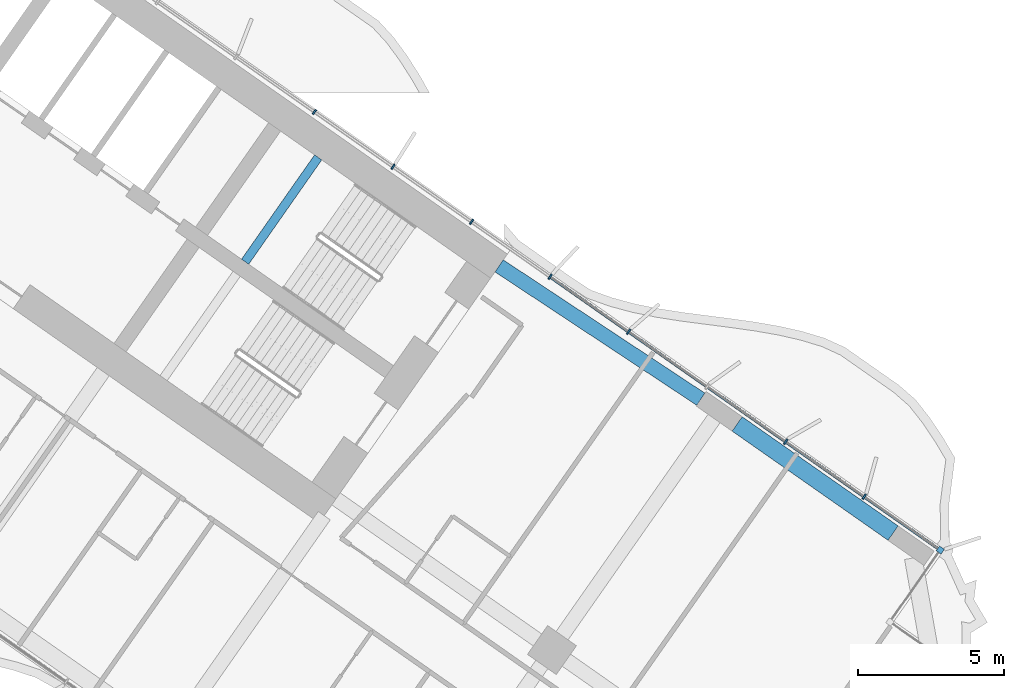
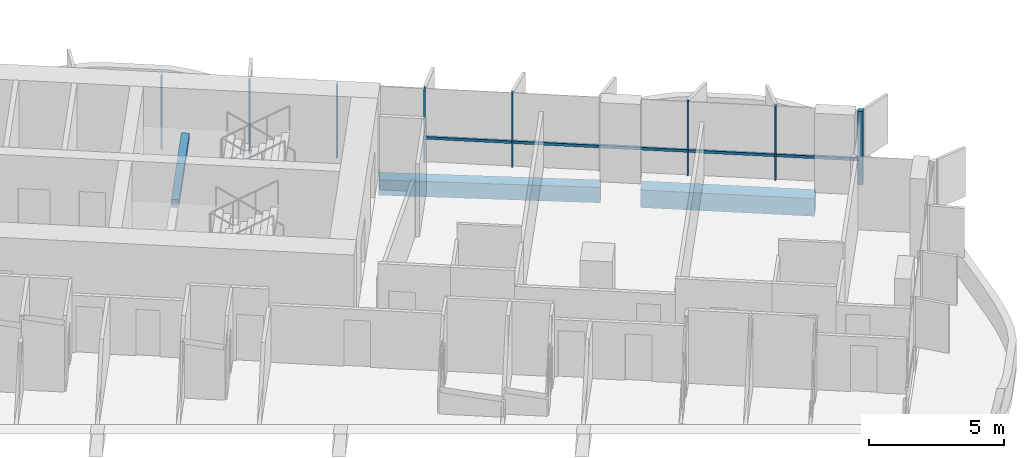
# One storey, part 10 of 24: 9 members, 3 beams, 2 elements without a shape of their own.
"""IFC4 building model written with IfcOpenShell, lengths in metres."""

from ifc_helpers import new_model, si_unit, direction, frame, origin, origin_2d, place, context, subcontext, project, spatial, rectangle, extrude, material, material_profile, profile_set, type_object, element, aggregate, save


model = new_model("IFC4")

# Units and contexts
model_context = context("Model", 3, precision=1e-05, world=origin(), true_north=direction((0.0, 1.0)))
body_context = subcontext(model_context, "Body", "Model", "MODEL_VIEW")
ifc_project = project(units=[si_unit("LENGTHUNIT", "METRE"), si_unit("AREAUNIT", "SQUARE_METRE"), si_unit("VOLUMEUNIT", "CUBIC_METRE"), si_unit("PLANEANGLEUNIT", "RADIAN"), si_unit("MASSUNIT", "GRAM", prefix="KILO")], contexts=[model_context])

# Site, building, storey
site_placement = place(None, origin())
site = spatial("IfcSite", under=ifc_project, at=site_placement, CompositionType="ELEMENT")
building_placement = place(site_placement, origin())
building = spatial("IfcBuilding", under=site, at=building_placement, Name="Tel Ilan Convention Tower", CompositionType="ELEMENT")
storey_placement = place(building_placement, frame((0.0, 0.0, 68.89990234375)))
storey = spatial("IfcBuildingStorey", under=building, at=storey_placement, Name="L12", CompositionType="ELEMENT", Elevation=68.89990234375)

# Beams
ifc_material_1 = material(Name="Concrete C40/50", Category="concrete")
ifc_material_profile_1 = material_profile(ifc_material_1, rectangle(XDim=0.5, YDim=0.699951171875, at=origin_2d()), Name="RC 500x700")
ifc_profile_set_1 = profile_set([ifc_material_profile_1], Name="Concrete C40/50")
beam_type_1 = type_object("IfcBeamType", Name="Beam RC 500x700 Concrete C40/50", PredefinedType="BEAM", material=ifc_profile_set_1)
beam_1_placement = place(storey_placement, frame((34.570556640625, -12.08447265625, -0.6298828125), z_axis=(-0.834273603487, 0.551350663847, 0.0), x_axis=(-0.551350663847, -0.834273603487, 0.0)))
element("IfcBeam", 1, at=beam_1_placement, inside=storey, type_object=beam_type_1, Name="L12 beam E-E-B4-core", PredefinedType="BEAM", context=body_context, shape_type="SweptSolid", body=[
    extrude(rectangle(XDim=0.5, YDim=0.699951171875, at=origin_2d()), origin(), (0.0, 0.0, 1.0), 8.2529296875),
])
ifc_material_2 = material(Name="Concrete C40/50", Category="concrete")
ifc_material_profile_2 = material_profile(ifc_material_2, rectangle(XDim=0.60009765625, YDim=0.800048828125, at=origin_2d()), Name="RC 600x800")
ifc_profile_set_2 = profile_set([ifc_material_profile_2], Name="Concrete C40/50")
beam_type_2 = type_object("IfcBeamType", Name="Beam RC 600x800 Concrete C40/50", PredefinedType="BEAM", material=ifc_profile_set_2)
beam_2_placement = place(storey_placement, frame((41.135498046875, -16.656494140625, -0.679931640625), z_axis=(-0.819178980414, 0.573537965655, 0.0), x_axis=(-0.573537965655, -0.819178980414, 0.0)))
element("IfcBeam", 2, at=beam_2_placement, inside=storey, type_object=beam_type_2, Name="L12 beam E-E-BC-E-B4", PredefinedType="BEAM", context=body_context, shape_type="SweptSolid", body=[
    extrude(rectangle(XDim=0.60009765625, YDim=0.800048828125, at=origin_2d()), origin(), (0.0, 0.0, 1.0), 6.5),
])

# Curtain wall, member
ifc_material_3 = material(Name="Aluminium, bronze anodised", Category="aluminium")
curtain_wall_type_1 = type_object("IfcCurtainWallType", Name="CW1 UNITISED CURTAIN WALL, HOTEL TINTED GLASS", PredefinedType="NOTDEFINED", material=ifc_material_3)
curtain_wall_1_placement = place(storey_placement, origin())
curtain_wall_1 = element("IfcCurtainWall", 3, at=curtain_wall_1_placement, inside=storey, type_object=curtain_wall_type_1, Name="Curtain wall CW1-12.02", PredefinedType="NOTDEFINED")
ifc_material_4 = material(Name="Aluminium, bronze anodised", Category="aluminium")
ifc_material_profile_3 = material_profile(ifc_material_4, rectangle(XDim=0.199951171875, YDim=0.199951171875, at=origin_2d()), Name="CW CORNER MULLION 200x200")
ifc_profile_set_3 = profile_set([ifc_material_profile_3], Name="Aluminium, bronze anodised")
member_type_1 = type_object("IfcMemberType", Name="CW CORNER MULLION 200x200", PredefinedType="MULLION", material=ifc_profile_set_3)
member_1_placement = place(storey_placement, frame((42.7451171875, -17.234375, 0.0), z_axis=(0.0, 0.0, 1.0), x_axis=(0.573576436351, 0.819152044289, 0.0)))
member_1 = element("IfcMember", 4, at=member_1_placement, type_object=member_type_1, Name="Corner mullion", PredefinedType="MULLION", context=body_context, shape_type="SweptSolid", body=[
    extrude(rectangle(XDim=0.199951171875, YDim=0.199951171875, at=origin_2d()), origin(), (0.0, 0.0, 1.0), 3.320068359375),
])

# Curtain wall, members
ifc_material_5 = material(Name="Aluminium, bronze anodised", Category="aluminium")
curtain_wall_type_2 = type_object("IfcCurtainWallType", Name="CW2 STICK CURTAIN WALL, SPANDREL PANELS", PredefinedType="NOTDEFINED", material=ifc_material_5)
curtain_wall_2_placement = place(storey_placement, origin())
curtain_wall_2 = element("IfcCurtainWall", 5, at=curtain_wall_2_placement, inside=storey, type_object=curtain_wall_type_2, Name="Curtain wall CW2-12.01", PredefinedType="NOTDEFINED")
ifc_material_6 = material(Name="Aluminium, bronze anodised", Category="aluminium")
ifc_material_profile_4 = material_profile(ifc_material_6, rectangle(XDim=0.06005859375, YDim=0.199951171875, at=origin_2d()), Name="CW MULLION 60x200")
ifc_profile_set_4 = profile_set([ifc_material_profile_4], Name="Aluminium, bronze anodised")
member_type_2 = type_object("IfcMemberType", Name="CW MULLION 60x200", PredefinedType="MULLION", material=ifc_profile_set_4)
member_2_placement = place(storey_placement, frame((29.42578125, -7.907958984375, 0.0), z_axis=(0.0, 0.0, 1.0), x_axis=(-0.819152044289, 0.573576436351, 0.0)))
member_2 = element("IfcMember", 6, at=member_2_placement, type_object=member_type_2, Name="Mullion", PredefinedType="MULLION", context=body_context, shape_type="SweptSolid", body=[
    extrude(rectangle(XDim=0.06005859375, YDim=0.199951171875, at=origin_2d()), origin(), (0.0, 0.0, 1.0), 3.320068359375),
])
member_3_placement = place(storey_placement, frame((26.745361328125, -6.03125, 0.0), z_axis=(0.0, 0.0, 1.0), x_axis=(-0.819152044289, 0.573576436351, 0.0)))
member_3 = element("IfcMember", 7, at=member_3_placement, type_object=member_type_2, Name="Mullion", PredefinedType="MULLION", context=body_context, shape_type="SweptSolid", body=[
    extrude(rectangle(XDim=0.06005859375, YDim=0.199951171875, at=origin_2d()), origin(), (0.0, 0.0, 1.0), 3.320068359375),
])
member_4_placement = place(storey_placement, frame((24.065185546875, -4.154541015625, 0.0), z_axis=(0.0, 0.0, 1.0), x_axis=(-0.819152044289, 0.573576436351, 0.0)))
member_4 = element("IfcMember", 8, at=member_4_placement, type_object=member_type_2, Name="Mullion", PredefinedType="MULLION", context=body_context, shape_type="SweptSolid", body=[
    extrude(rectangle(XDim=0.06005859375, YDim=0.199951171875, at=origin_2d()), origin(), (0.0, 0.0, 1.0), 3.320068359375),
])
member_5_placement = place(storey_placement, frame((21.384765625, -2.27783203125, 0.0), z_axis=(0.0, 0.0, 1.0), x_axis=(-0.819152044289, 0.573576436351, 0.0)))
member_5 = element("IfcMember", 9, at=member_5_placement, type_object=member_type_2, Name="Mullion", PredefinedType="MULLION", context=body_context, shape_type="SweptSolid", body=[
    extrude(rectangle(XDim=0.06005859375, YDim=0.199951171875, at=origin_2d()), origin(), (0.0, 0.0, 1.0), 3.320068359375),
])
aggregate(curtain_wall_2, [member_2, member_3, member_4, member_5])

# Member
member_6_placement = place(storey_placement, frame((40.146728515625, -15.4150390625, 0.0), z_axis=(0.0, 0.0, 1.0), x_axis=(-0.819152044289, 0.573576436351, 0.0)))
member_6 = element("IfcMember", 10, at=member_6_placement, type_object=member_type_2, Name="Mullion", PredefinedType="MULLION", context=body_context, shape_type="SweptSolid", body=[
    extrude(rectangle(XDim=0.06005859375, YDim=0.199951171875, at=origin_2d()), origin(), (0.0, 0.0, 1.0), 3.320068359375),
])

member_7_placement = place(storey_placement, frame((37.466552734375, -13.538330078125, 0.0), z_axis=(0.0, 0.0, 1.0), x_axis=(-0.819152044289, 0.573576436351, 0.0)))
member_7 = element("IfcMember", 11, at=member_7_placement, type_object=member_type_2, Name="Mullion", PredefinedType="MULLION", context=body_context, shape_type="SweptSolid", body=[
    extrude(rectangle(XDim=0.06005859375, YDim=0.199951171875, at=origin_2d()), origin(), (0.0, 0.0, 1.0), 3.320068359375),
])

member_8_placement = place(storey_placement, frame((32.10595703125, -9.78466796875, 0.0), z_axis=(0.0, 0.0, 1.0), x_axis=(-0.819152044289, 0.573576436351, 0.0)))
member_8 = element("IfcMember", 12, at=member_8_placement, type_object=member_type_2, Name="Mullion", PredefinedType="MULLION", context=body_context, shape_type="SweptSolid", body=[
    extrude(rectangle(XDim=0.06005859375, YDim=0.199951171875, at=origin_2d()), origin(), (0.0, 0.0, 1.0), 3.320068359375),
])

ifc_material_7 = material(Name="Aluminium, bronze anodised", Category="aluminium")
ifc_material_profile_5 = material_profile(ifc_material_7, rectangle(XDim=0.10009765625, YDim=0.1201171875, at=origin_2d()), Name="CW TRANSOM 100x120")
ifc_profile_set_5 = profile_set([ifc_material_profile_5], Name="Aluminium, bronze anodised")
member_type_3 = type_object("IfcMemberType", Name="CW TRANSOM 100x120", PredefinedType="USERDEFINED", material=ifc_profile_set_5)
member_9_placement = place(storey_placement, frame((42.6630859375, -17.177001953125, 1.10009765625), z_axis=(-0.819153693934, 0.573574080407, 0.0), x_axis=(-0.573574080407, -0.819153693934, 0.0)))
member_9 = element("IfcMember", 13, at=member_9_placement, type_object=member_type_3, Name="Transom", ObjectType="TRANSOM", PredefinedType="USERDEFINED", context=body_context, shape_type="SweptSolid", body=[
    extrude(rectangle(XDim=0.10009765625, YDim=0.1201171875, at=origin_2d()), origin(), (0.0, 0.0, 1.0), 16.1298828125),
])

aggregate(curtain_wall_1, [member_1, member_6, member_7, member_8, member_9])

# Beam
ifc_material_8 = material(Name="Concrete C40/50", Category="concrete")
ifc_material_profile_6 = material_profile(ifc_material_8, rectangle(XDim=0.300048828125, YDim=0.300048828125, at=origin_2d()), Name="RC 300x300")
ifc_profile_set_6 = profile_set([ifc_material_profile_6], Name="Concrete C40/50")
beam_type_3 = type_object("IfcBeamType", Name="Landing Beam RC 300x300 Concrete C40/50", PredefinedType="BEAM", material=ifc_profile_set_6)
beam_3_placement = place(storey_placement, frame((21.5087890625, -3.829345703125, 1.4501953125), z_axis=(-0.57356780395, -0.819158088694, 0.0), x_axis=(0.819158088694, -0.57356780395, 0.0)))
element("IfcBeam", 14, at=beam_3_placement, inside=storey, type_object=beam_type_3, Name="S3 landing beam L12.1", PredefinedType="BEAM", context=body_context, shape_type="SweptSolid", body=[
    extrude(rectangle(XDim=0.300048828125, YDim=0.300048828125, at=origin_2d()), origin(), (0.0, 0.0, 1.0), 4.35009765625),
])

save(model, "model.ifc")
